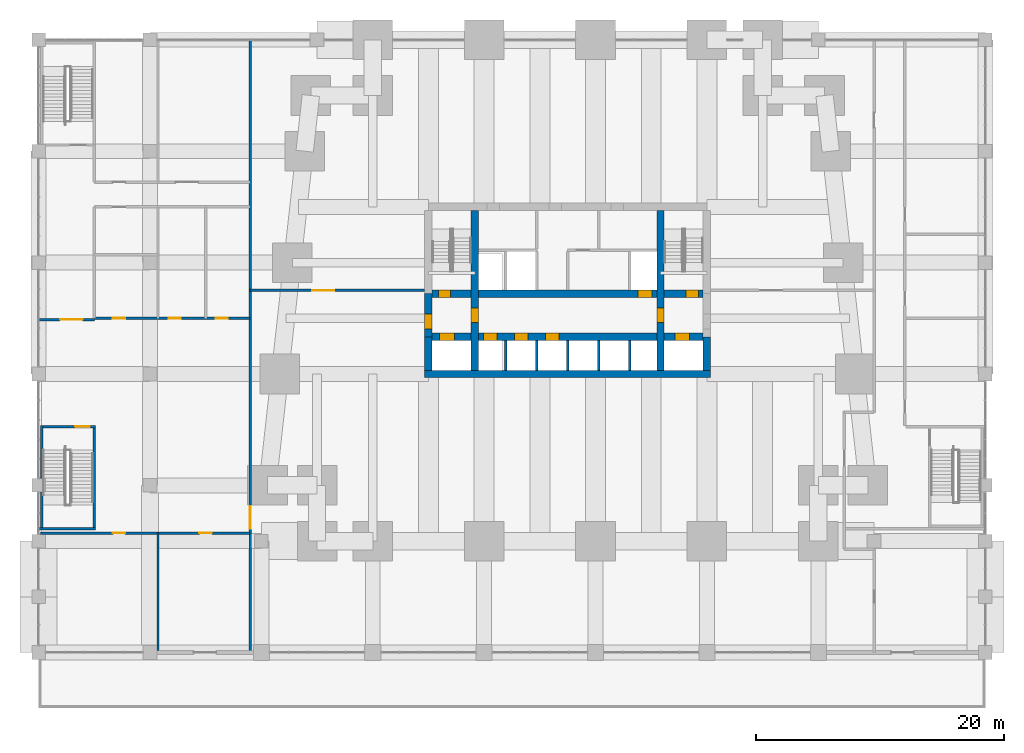
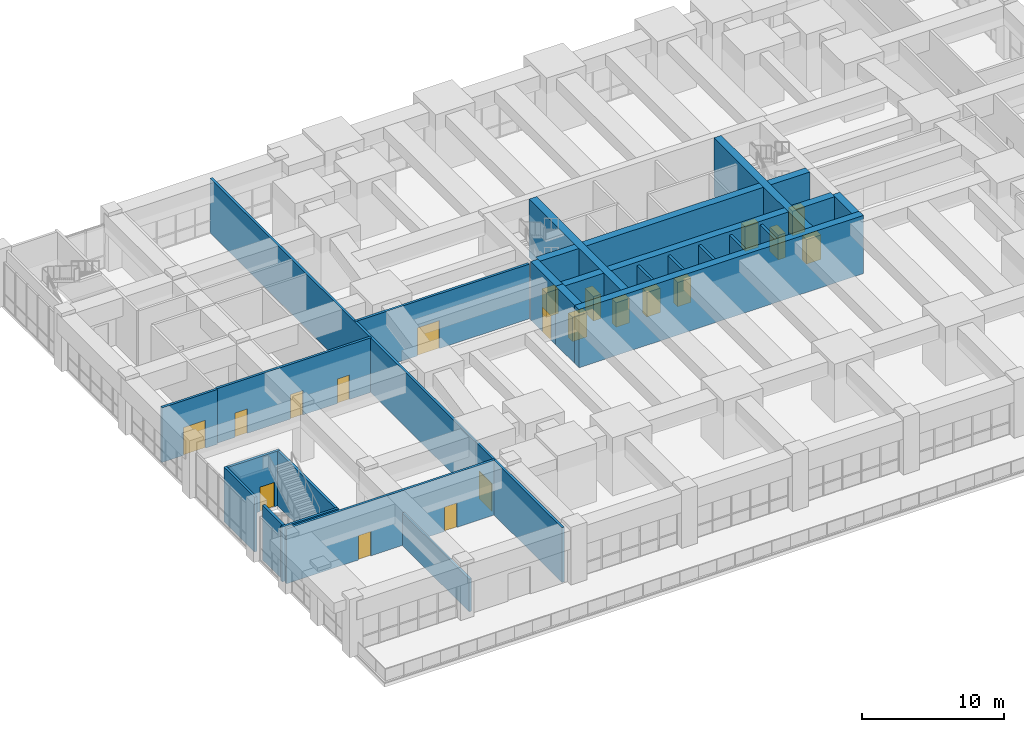
# One storey, part 21 of 27: 24 walls, 20 doors, 20 openings.
"""IFC4 building model written with IfcOpenShell, lengths in metres."""

import ifcopenshell
import ifcopenshell.guid

model = None  # the IFC model being written
_history = None  # IfcOwnerHistory: only IFC2X3 demands one
_inside = {}  # id of a spatial element -> (the spatial element, [elements in it])
_under = {}  # id of a project, library or spatial element -> (it, [spatial elements below it])
_declared = {}  # id of a project -> (the project, [libraries it declares])
_typed = {}  # id of a type object -> (the type object, [elements of that type])
_made_of = {}  # id of a material, layer set ... -> (it, [elements and type objects made of it])


def new_model(schema):
    """Start an empty IFC model of exactly this schema.

    Asked for "IFC4X3", IfcOpenShell would pick the latest addendum, in which some entities
    have other attributes; the version numbers below select the first issue.
    IFC2X3 requires an IfcOwnerHistory on every rooted entity: one is made here for all.
    """
    global model, _history
    if schema == "IFC4X3":
        model = ifcopenshell.file(schema_version=(4, 3, 0, 0))
    else:
        model = ifcopenshell.file(schema=schema)
    _inside.clear()
    _under.clear()
    _declared.clear()
    _typed.clear()
    _made_of.clear()
    _history = None
    if model.schema == "IFC2X3":
        org = make("IfcOrganization", Name="unknown")
        user = make(
            "IfcPersonAndOrganization",
            ThePerson=make("IfcPerson", FamilyName="unknown"),
            TheOrganization=org,
        )
        app = make(
            "IfcApplication",
            ApplicationDeveloper=org,
            Version="unknown",
            ApplicationFullName="unknown",
            ApplicationIdentifier="unknown",
        )
        _history = make(
            "IfcOwnerHistory",
            OwningUser=user,
            OwningApplication=app,
            ChangeAction="ADDED",
            CreationDate=0,
        )
    return model


def make(cls, **values):
    """One entity of the class cls with the attributes given. An attribute that is None is left unset."""
    return model.create_entity(
        cls, **{name: value for name, value in values.items() if value is not None}
    )


def rooted(cls, **values):
    """An entity with a GlobalId (a new one), such as an element, a storey or a relation."""
    return make(cls, GlobalId=ifcopenshell.guid.new(), OwnerHistory=_history, **values)


def si_unit(unit_type, name, prefix=None):
    """IfcSIUnit, for example si_unit("LENGTHUNIT", "METRE", prefix="MILLI")."""
    return make("IfcSIUnit", UnitType=unit_type, Prefix=prefix, Name=name)


def assignment(units):
    """IfcUnitAssignment: the units of a project."""
    return None if units is None else make("IfcUnitAssignment", Units=units)


def point(xyz):
    """IfcCartesianPoint."""
    return None if xyz is None else make("IfcCartesianPoint", Coordinates=xyz)


def direction(xyz):
    """IfcDirection."""
    return None if xyz is None else make("IfcDirection", DirectionRatios=xyz)


def frame(location, z_axis=None, x_axis=None):
    """IfcAxis2Placement3D, a coordinate frame: its origin and axes. An axis left out is left unset."""
    return make(
        "IfcAxis2Placement3D",
        Location=point(location),
        Axis=direction(z_axis),
        RefDirection=direction(x_axis),
    )


def frame_2d(location, x_axis=None):
    """IfcAxis2Placement2D, a coordinate frame in the plane: its origin and x axis."""
    return make(
        "IfcAxis2Placement2D", Location=point(location), RefDirection=direction(x_axis)
    )


def origin():
    """The frame at (0, 0, 0) with its axes left unset."""
    return frame((0.0, 0.0, 0.0))


def place(relative_to, where):
    """IfcLocalPlacement: puts the frame where relative to a parent placement (None: the world)."""
    return make(
        "IfcLocalPlacement", PlacementRelTo=relative_to, RelativePlacement=where
    )


def context(
    kind, dimensions, precision=None, world=None, true_north=None, identifier=None
):
    """IfcGeometricRepresentationContext, for example the 3D "Model" context."""
    return make(
        "IfcGeometricRepresentationContext",
        ContextIdentifier=identifier,
        ContextType=kind,
        CoordinateSpaceDimension=dimensions,
        Precision=precision,
        WorldCoordinateSystem=world,
        TrueNorth=true_north,
    )


def subcontext(parent, identifier, kind, view, scale=None):
    """IfcGeometricRepresentationSubContext, for example "Body" below "Model"."""
    return make(
        "IfcGeometricRepresentationSubContext",
        ContextIdentifier=identifier,
        ContextType=kind,
        ParentContext=parent,
        TargetScale=scale,
        TargetView=view,
    )


def project(units=None, contexts=None):
    """IfcProject with its units and contexts."""
    return rooted(
        "IfcProject",
        Name="project",
        RepresentationContexts=contexts,
        UnitsInContext=assignment(units),
    )


def spatial(cls, under=None, at=None, **own):
    """A site, building, storey or space (cls), placed at a placement, below another one or the project."""
    s = rooted(cls, ObjectPlacement=at, **own)
    if under is not None:
        _under.setdefault(under.id(), (under, []))[1].append(s)
    return s


def profile(cls, at=None, kind="AREA", **sizes):
    """A parametric profile (cls). Its sizes go by their IFC names, for example OverallWidth=200.0."""
    return make(cls, ProfileType=kind, Position=at, **sizes)


def rectangle(**sizes):
    """IfcRectangleProfileDef."""
    return profile("IfcRectangleProfileDef", **sizes)


def extrude(swept, where, along, depth):
    """IfcExtrudedAreaSolid: the profile swept, set in the frame where, extruded along a direction by depth."""
    return make(
        "IfcExtrudedAreaSolid",
        SweptArea=swept,
        Position=where,
        ExtrudedDirection=direction(along),
        Depth=depth,
    )


def shape(context_of_items, identifier, shape_type, items):
    """IfcShapeRepresentation: the items that make up one representation, for example the "Body"."""
    return make(
        "IfcShapeRepresentation",
        ContextOfItems=context_of_items,
        RepresentationIdentifier=identifier,
        RepresentationType=shape_type,
        Items=items,
    )


def material(Name=None, Category=None):
    """IfcMaterial."""
    return make("IfcMaterial", Name=Name, Category=Category)


def layer(
    of_material, thickness, ventilated=None, Name=None, Category=None, Priority=None
):
    """IfcMaterialLayer: one layer of a wall or slab, of a material (None: an air gap)."""
    return make(
        "IfcMaterialLayer",
        Material=of_material,
        LayerThickness=thickness,
        IsVentilated=ventilated,
        Name=Name,
        Category=Category,
        Priority=Priority,
    )


def layer_set(layers, Name=None):
    """IfcMaterialLayerSet."""
    return make("IfcMaterialLayerSet", MaterialLayers=layers, LayerSetName=Name)


def made_of(thing, what):
    """Note that an element or type object is made of a material, layer set ...; save() writes the relation."""
    if what is not None:
        _made_of.setdefault(what.id(), (what, []))[1].append(thing)
    return thing


def type_object(cls, material=None, **own):
    """A type object (cls), such as IfcWallType, which elements share."""
    return made_of(rooted(cls, **own), material)


def element(
    cls,
    number,
    at=None,
    inside=None,
    cuts=None,
    type_object=None,
    material=None,
    context=None,
    identifier="Body",
    shape_type=None,
    held_by="IfcProductDefinitionShape",
    body=None,
    shapes=None,
    **own,
):
    """One element of the class cls, such as IfcWall. Its Tag is "e" and its number.

    at: its placement. inside: the storey or other place that contains it. cuts: it is an
    opening in that element (IfcRelVoidsElement). A single representation is given by context,
    identifier, shape_type and body (its items); several are given by shapes. held_by: the class
    of the entity that holds the representations. save() writes the other relations.
    """
    e = rooted(cls, Tag="e%d" % number, ObjectPlacement=at, **own)
    if body is not None:
        shapes = [shape(context, identifier, shape_type, body)]
    if shapes is not None:
        e.Representation = make(held_by, Representations=shapes)
    if inside is not None:
        _inside.setdefault(inside.id(), (inside, []))[1].append(e)
    if cuts is not None:
        rooted(
            "IfcRelVoidsElement", RelatingBuildingElement=cuts, RelatedOpeningElement=e
        )
    if type_object is not None:
        _typed.setdefault(type_object.id(), (type_object, []))[1].append(e)
    return made_of(e, material)


def fill(opening, filler):
    """IfcRelFillsElement: the door or window that sits in an opening."""
    return rooted(
        "IfcRelFillsElement",
        RelatingOpeningElement=opening,
        RelatedBuildingElement=filler,
    )


def aggregate(whole, parts):
    """IfcRelAggregates: a whole, such as a stair, and the parts it consists of."""
    return rooted("IfcRelAggregates", RelatingObject=whole, RelatedObjects=parts)


def save(model, path):
    """Write the relations noted so far, then the file.

    IfcRelAggregates (storeys below a building ...), IfcRelContainedInSpatialStructure (elements
    in a storey), IfcRelDefinesByType, IfcRelAssociatesMaterial and IfcRelDeclares: one each for
    every whole, place, type object, material and project.
    """
    for whole, parts in _under.values():
        aggregate(whole, parts)
    for where, things in _inside.values():
        rooted(
            "IfcRelContainedInSpatialStructure",
            RelatedElements=things,
            RelatingStructure=where,
        )
    for kind, things in _typed.values():
        rooted("IfcRelDefinesByType", RelatedObjects=things, RelatingType=kind)
    for what, things in _made_of.values():
        rooted("IfcRelAssociatesMaterial", RelatedObjects=things, RelatingMaterial=what)
    for by, libraries in _declared.values():
        rooted("IfcRelDeclares", RelatingContext=by, RelatedDefinitions=libraries)
    model.write(path)


model = new_model("IFC4")

# Units and contexts
model_context = context("Model", 3, precision=1e-05, world=origin(), true_north=direction((0.0, 1.0)))
body_context = subcontext(model_context, "Body", "Model", "MODEL_VIEW")
ifc_project = project(units=[si_unit("LENGTHUNIT", "METRE"), si_unit("AREAUNIT", "SQUARE_METRE"), si_unit("VOLUMEUNIT", "CUBIC_METRE"), si_unit("PLANEANGLEUNIT", "RADIAN"), si_unit("MASSUNIT", "GRAM", prefix="KILO")], contexts=[model_context])

# Site, building, storey
site_placement = place(None, origin())
site = spatial("IfcSite", under=ifc_project, at=site_placement, CompositionType="ELEMENT")
building_placement = place(site_placement, origin())
building = spatial("IfcBuilding", under=site, at=building_placement, Name="Kilele Tower Hotel", CompositionType="ELEMENT")
storey_placement = place(building_placement, frame((0.0, 0.0, 6.0)))
storey = spatial("IfcBuildingStorey", under=building, at=storey_placement, Name="L01", CompositionType="ELEMENT", Elevation=6.0)

# Wall
ifc_material_1 = material(Name="Concrete C60/75", Category="concrete")
ifc_layer_1 = layer(ifc_material_1, 0.60009765625)
ifc_layer_set_1 = layer_set([ifc_layer_1], Name="Concrete C60/75")
wall_type_1 = type_object("IfcWallType", Name="Core wall 600 C60/75", PredefinedType="SHEAR", material=ifc_layer_set_1)
wall_1_placement = place(storey_placement, frame((13.199951171875, 13.5, 0.0), z_axis=(0.0, 0.0, 1.0), x_axis=(1.0, 0.0, 0.0)))
element("IfcWall", 1, at=wall_1_placement, inside=storey, type_object=wall_type_1, Name="Core wall S L01", PredefinedType="SHEAR", context=body_context, shape_type="SweptSolid", body=[
    extrude(rectangle(XDim=23.10009765625, YDim=0.60009765625, at=frame_2d((11.550048828125, 0.0))), origin(), (0.0, 0.0, 1.0), 5.0),
])

# Wall, opening, door
wall_2_placement = place(storey_placement, frame((17.25, 13.800048828125, 0.0), z_axis=(0.0, 0.0, 1.0), x_axis=(0.0, 1.0, 0.0)))
wall_2 = element("IfcWall", 2, at=wall_2_placement, inside=storey, type_object=wall_type_1, Name="Core wall IW L01", PredefinedType="SHEAR", context=body_context, shape_type="SweptSolid", body=[
    extrude(rectangle(XDim=12.89990234375, YDim=0.60009765625, at=frame_2d((6.449951171875, 0.0))), origin(), (0.0, 0.0, 1.0), 5.0),
])
opening_1_placement = place(wall_2_placement, frame((3.85009765625, 0.0, 0.0)))
opening_1 = element("IfcOpeningElement", 3, at=opening_1_placement, cuts=wall_2, Name="Opening D4", PredefinedType="OPENING", context=body_context, shape_type="SweptSolid", body=[
    extrude(rectangle(XDim=1.199951171875, YDim=2.10009765625, at=frame_2d((0.60009765625, 1.050048828125))), frame((0.0, 0.31005859375, 0.0), z_axis=(0.0, -1.0, 0.0), x_axis=(1.0, 0.0, 0.0)), (0.0, 0.0, 1.0), 0.6201171875),
])
ifc_material_2 = material(Name="Timber door leaf in hardwood frame", Category="wood")
door_type_1 = type_object("IfcDoorType", Name="Firefighting lobby door 1200", OperationType="SINGLE_SWING_LEFT", PredefinedType="DOOR", material=ifc_material_2)
door_1_placement = place(opening_1_placement, origin())
door_1 = element("IfcDoor", 4, at=door_1_placement, inside=storey, type_object=door_type_1, Name="Lobby door L01", OperationType="SINGLE_SWING_LEFT", OverallHeight=2.10009765625, OverallWidth=1.199951171875, PredefinedType="DOOR", context=body_context, shape_type="SweptSolid", body=[
    extrude(rectangle(XDim=1.199951171875, YDim=2.10009765625, at=frame_2d((0.60009765625, 1.050048828125))), frame((0.0, 0.2998046875, 0.0), z_axis=(0.0, -1.0, 0.0), x_axis=(1.0, 0.0, 0.0)), (0.0, 0.0, 1.0), 0.599609375),
])
fill(opening_1, door_1)

wall_3_placement = place(storey_placement, frame((32.25, 13.800048828125, 0.0), z_axis=(0.0, 0.0, 1.0), x_axis=(0.0, 1.0, 0.0)))
wall_3 = element("IfcWall", 5, at=wall_3_placement, inside=storey, type_object=wall_type_1, Name="Core wall IE L01", PredefinedType="SHEAR", context=body_context, shape_type="SweptSolid", body=[
    extrude(rectangle(XDim=12.89990234375, YDim=0.60009765625, at=frame_2d((6.449951171875, 0.0))), origin(), (0.0, 0.0, 1.0), 5.0),
])
opening_2_placement = place(wall_3_placement, frame((5.050048828125, 0.0, 0.0), z_axis=(0.0, 0.0, 1.0), x_axis=(-1.0, 0.0, 0.0)))
opening_2 = element("IfcOpeningElement", 6, at=opening_2_placement, cuts=wall_3, Name="Opening D4", PredefinedType="OPENING", context=body_context, shape_type="SweptSolid", body=[
    extrude(rectangle(XDim=1.199951171875, YDim=2.10009765625, at=frame_2d((0.60009765625, 1.050048828125))), frame((0.0, 0.31005859375, 0.0), z_axis=(0.0, -1.0, 0.0), x_axis=(1.0, 0.0, 0.0)), (0.0, 0.0, 1.0), 0.6201171875),
])
door_2_placement = place(opening_2_placement, origin())
door_2 = element("IfcDoor", 7, at=door_2_placement, inside=storey, type_object=door_type_1, Name="Lobby door L01", OperationType="SINGLE_SWING_RIGHT", OverallHeight=2.10009765625, OverallWidth=1.199951171875, PredefinedType="DOOR", context=body_context, shape_type="SweptSolid", body=[
    extrude(rectangle(XDim=1.199951171875, YDim=2.10009765625, at=frame_2d((0.60009765625, 1.050048828125))), frame((0.0, 0.2998046875, 0.0), z_axis=(0.0, -1.0, 0.0), x_axis=(1.0, 0.0, 0.0)), (0.0, 0.0, 1.0), 0.599609375),
])
fill(opening_2, door_2)

# Wall, openings, doors
wall_4_placement = place(storey_placement, frame((13.800048828125, 16.5, 0.0), z_axis=(0.0, 0.0, 1.0), x_axis=(1.0, 0.0, 0.0)))
wall_4 = element("IfcWall", 8, at=wall_4_placement, inside=storey, type_object=wall_type_1, Name="Core wall LS L01", PredefinedType="SHEAR", context=body_context, shape_type="SweptSolid", body=[
    extrude(rectangle(XDim=21.89990234375, YDim=0.60009765625, at=frame_2d((10.949951171875, 0.0))), origin(), (0.0, 0.0, 1.0), 5.0),
])
opening_3_placement = place(wall_4_placement, frame((4.14990234375, 0.0, 0.0)))
opening_3 = element("IfcOpeningElement", 9, at=opening_3_placement, cuts=wall_4, Name="Opening LD1", PredefinedType="OPENING", context=body_context, shape_type="SweptSolid", body=[
    extrude(rectangle(XDim=1.10009765625, YDim=2.10009765625, at=frame_2d((0.550048828125, 1.050048828125))), frame((0.0, 0.31005859375, 0.0), z_axis=(0.0, -1.0, 0.0), x_axis=(1.0, 0.0, 0.0)), (0.0, 0.0, 1.0), 0.6201171875),
])
opening_4_placement = place(wall_4_placement, frame((6.64990234375, 0.0, 0.0)))
opening_4 = element("IfcOpeningElement", 10, at=opening_4_placement, cuts=wall_4, Name="Opening LD1", PredefinedType="OPENING", context=body_context, shape_type="SweptSolid", body=[
    extrude(rectangle(XDim=1.10009765625, YDim=2.10009765625, at=frame_2d((0.550048828125, 1.050048828125))), frame((0.0, 0.31005859375, 0.0), z_axis=(0.0, -1.0, 0.0), x_axis=(1.0, 0.0, 0.0)), (0.0, 0.0, 1.0), 0.6201171875),
])
opening_5_placement = place(wall_4_placement, frame((9.14990234375, 0.0, 0.0)))
opening_5 = element("IfcOpeningElement", 11, at=opening_5_placement, cuts=wall_4, Name="Opening LD1", PredefinedType="OPENING", context=body_context, shape_type="SweptSolid", body=[
    extrude(rectangle(XDim=1.10009765625, YDim=2.10009765625, at=frame_2d((0.550048828125, 1.050048828125))), frame((0.0, 0.31005859375, 0.0), z_axis=(0.0, -1.0, 0.0), x_axis=(1.0, 0.0, 0.0)), (0.0, 0.0, 1.0), 0.6201171875),
])
opening_6_placement = place(wall_4_placement, frame((0.60009765625, 0.0, 0.0)))
opening_6 = element("IfcOpeningElement", 12, at=opening_6_placement, cuts=wall_4, Name="Opening LD2", PredefinedType="OPENING", context=body_context, shape_type="SweptSolid", body=[
    extrude(rectangle(XDim=1.199951171875, YDim=2.10009765625, at=frame_2d((0.60009765625, 1.050048828125))), frame((0.0, 0.31005859375, 0.0), z_axis=(0.0, -1.0, 0.0), x_axis=(1.0, 0.0, 0.0)), (0.0, 0.0, 1.0), 0.6201171875),
])
opening_7_placement = place(wall_4_placement, frame((19.60009765625, 0.0, 0.0)))
opening_7 = element("IfcOpeningElement", 13, at=opening_7_placement, cuts=wall_4, Name="Opening LD2", PredefinedType="OPENING", context=body_context, shape_type="SweptSolid", body=[
    extrude(rectangle(XDim=1.199951171875, YDim=2.10009765625, at=frame_2d((0.60009765625, 1.050048828125))), frame((0.0, 0.31005859375, 0.0), z_axis=(0.0, -1.0, 0.0), x_axis=(1.0, 0.0, 0.0)), (0.0, 0.0, 1.0), 0.6201171875),
])
ifc_material_3 = material(Name="Steel lift landing door", Category="steel")
door_type_2 = type_object("IfcDoorType", Name="Firefighting lift landing door 1200", OperationType="SLIDING_TO_LEFT", PredefinedType="DOOR", material=ifc_material_3)
door_3_placement = place(opening_6_placement, origin())
door_3 = element("IfcDoor", 14, at=door_3_placement, inside=storey, type_object=door_type_2, Name="Landing door FFW L01", OperationType="SLIDING_TO_LEFT", OverallHeight=2.10009765625, OverallWidth=1.199951171875, PredefinedType="DOOR", context=body_context, shape_type="SweptSolid", body=[
    extrude(rectangle(XDim=1.199951171875, YDim=2.10009765625, at=frame_2d((0.60009765625, 1.050048828125))), frame((0.0, 0.2998046875, 0.0), z_axis=(0.0, -1.0, 0.0), x_axis=(1.0, 0.0, 0.0)), (0.0, 0.0, 1.0), 0.599609375),
])
fill(opening_6, door_3)
door_4_placement = place(opening_7_placement, origin())
door_4 = element("IfcDoor", 15, at=door_4_placement, inside=storey, type_object=door_type_2, Name="Landing door FFE L01", OperationType="SLIDING_TO_LEFT", OverallHeight=2.10009765625, OverallWidth=1.199951171875, PredefinedType="DOOR", context=body_context, shape_type="SweptSolid", body=[
    extrude(rectangle(XDim=1.199951171875, YDim=2.10009765625, at=frame_2d((0.60009765625, 1.050048828125))), frame((0.0, 0.2998046875, 0.0), z_axis=(0.0, -1.0, 0.0), x_axis=(1.0, 0.0, 0.0)), (0.0, 0.0, 1.0), 0.599609375),
])
fill(opening_7, door_4)
ifc_material_4 = material(Name="Steel lift landing door", Category="steel")
door_type_3 = type_object("IfcDoorType", Name="Lift landing door 1100", OperationType="SLIDING_TO_LEFT", PredefinedType="DOOR", material=ifc_material_4)
door_5_placement = place(opening_3_placement, origin())
door_5 = element("IfcDoor", 16, at=door_5_placement, inside=storey, type_object=door_type_3, Name="Landing door L1 L01", OperationType="SLIDING_TO_LEFT", OverallHeight=2.10009765625, OverallWidth=1.10009765625, PredefinedType="DOOR", context=body_context, shape_type="SweptSolid", body=[
    extrude(rectangle(XDim=1.10009765625, YDim=2.10009765625, at=frame_2d((0.550048828125, 1.050048828125))), frame((0.0, 0.2998046875, 0.0), z_axis=(0.0, -1.0, 0.0), x_axis=(1.0, 0.0, 0.0)), (0.0, 0.0, 1.0), 0.599609375),
])
fill(opening_3, door_5)
door_6_placement = place(opening_4_placement, origin())
door_6 = element("IfcDoor", 17, at=door_6_placement, inside=storey, type_object=door_type_3, Name="Landing door L2 L01", OperationType="SLIDING_TO_LEFT", OverallHeight=2.10009765625, OverallWidth=1.10009765625, PredefinedType="DOOR", context=body_context, shape_type="SweptSolid", body=[
    extrude(rectangle(XDim=1.10009765625, YDim=2.10009765625, at=frame_2d((0.550048828125, 1.050048828125))), frame((0.0, 0.2998046875, 0.0), z_axis=(0.0, -1.0, 0.0), x_axis=(1.0, 0.0, 0.0)), (0.0, 0.0, 1.0), 0.599609375),
])
fill(opening_4, door_6)
door_7_placement = place(opening_5_placement, origin())
door_7 = element("IfcDoor", 18, at=door_7_placement, inside=storey, type_object=door_type_3, Name="Landing door L3 L01", OperationType="SLIDING_TO_LEFT", OverallHeight=2.10009765625, OverallWidth=1.10009765625, PredefinedType="DOOR", context=body_context, shape_type="SweptSolid", body=[
    extrude(rectangle(XDim=1.10009765625, YDim=2.10009765625, at=frame_2d((0.550048828125, 1.050048828125))), frame((0.0, 0.2998046875, 0.0), z_axis=(0.0, -1.0, 0.0), x_axis=(1.0, 0.0, 0.0)), (0.0, 0.0, 1.0), 0.599609375),
])
fill(opening_5, door_7)

wall_5_placement = place(storey_placement, frame((13.800048828125, 20.0, 0.0), z_axis=(0.0, 0.0, 1.0), x_axis=(1.0, 0.0, 0.0)))
wall_5 = element("IfcWall", 19, at=wall_5_placement, inside=storey, type_object=wall_type_1, Name="Core wall LN L01", PredefinedType="SHEAR", context=body_context, shape_type="SweptSolid", body=[
    extrude(rectangle(XDim=21.89990234375, YDim=0.60009765625, at=frame_2d((10.949951171875, 0.0))), origin(), (0.0, 0.0, 1.0), 5.0),
])
opening_8_placement = place(wall_5_placement, frame((0.5, 0.0, 0.0)))
opening_8 = element("IfcOpeningElement", 20, at=opening_8_placement, cuts=wall_5, Name="Opening D5", PredefinedType="OPENING", context=body_context, shape_type="SweptSolid", body=[
    extrude(rectangle(XDim=1.0, YDim=2.10009765625, at=frame_2d((0.5, 1.050048828125))), frame((0.0, 0.31005859375, 0.0), z_axis=(0.0, -1.0, 0.0), x_axis=(1.0, 0.0, 0.0)), (0.0, 0.0, 1.0), 0.6201171875),
])
opening_9_placement = place(wall_5_placement, frame((20.5, 0.0, 0.0)))
opening_9 = element("IfcOpeningElement", 21, at=opening_9_placement, cuts=wall_5, Name="Opening D5", PredefinedType="OPENING", context=body_context, shape_type="SweptSolid", body=[
    extrude(rectangle(XDim=1.0, YDim=2.10009765625, at=frame_2d((0.5, 1.050048828125))), frame((0.0, 0.31005859375, 0.0), z_axis=(0.0, -1.0, 0.0), x_axis=(1.0, 0.0, 0.0)), (0.0, 0.0, 1.0), 0.6201171875),
])
opening_10_placement = place(wall_5_placement, frame((16.64990234375, 0.0, 0.0)))
opening_10 = element("IfcOpeningElement", 22, at=opening_10_placement, cuts=wall_5, Name="Opening LD1", PredefinedType="OPENING", context=body_context, shape_type="SweptSolid", body=[
    extrude(rectangle(XDim=1.10009765625, YDim=2.10009765625, at=frame_2d((0.550048828125, 1.050048828125))), frame((0.0, 0.31005859375, 0.0), z_axis=(0.0, -1.0, 0.0), x_axis=(1.0, 0.0, 0.0)), (0.0, 0.0, 1.0), 0.6201171875),
])
door_8_placement = place(opening_10_placement, origin())
door_8 = element("IfcDoor", 23, at=door_8_placement, inside=storey, type_object=door_type_3, Name="Landing door G1 L01", OperationType="SLIDING_TO_LEFT", OverallHeight=2.10009765625, OverallWidth=1.10009765625, PredefinedType="DOOR", context=body_context, shape_type="SweptSolid", body=[
    extrude(rectangle(XDim=1.10009765625, YDim=2.10009765625, at=frame_2d((0.550048828125, 1.050048828125))), frame((0.0, 0.2998046875, 0.0), z_axis=(0.0, -1.0, 0.0), x_axis=(1.0, 0.0, 0.0)), (0.0, 0.0, 1.0), 0.599609375),
])
fill(opening_10, door_8)
ifc_material_5 = material(Name="Timber door leaf in hardwood frame", Category="wood")
door_type_4 = type_object("IfcDoorType", Name="Stair door 1000", OperationType="SINGLE_SWING_LEFT", PredefinedType="DOOR", material=ifc_material_5)
door_9_placement = place(opening_8_placement, origin())
door_9 = element("IfcDoor", 24, at=door_9_placement, inside=storey, type_object=door_type_4, Name="Stair 1 door L01", OperationType="SINGLE_SWING_LEFT", OverallHeight=2.10009765625, OverallWidth=1.0, PredefinedType="DOOR", context=body_context, shape_type="SweptSolid", body=[
    extrude(rectangle(XDim=1.0, YDim=2.10009765625, at=frame_2d((0.5, 1.050048828125))), frame((0.0, 0.2998046875, 0.0), z_axis=(0.0, -1.0, 0.0), x_axis=(1.0, 0.0, 0.0)), (0.0, 0.0, 1.0), 0.599609375),
])
fill(opening_8, door_9)
door_10_placement = place(opening_9_placement, origin())
door_10 = element("IfcDoor", 25, at=door_10_placement, inside=storey, type_object=door_type_4, Name="Stair 2 door L01", OperationType="SINGLE_SWING_RIGHT", OverallHeight=2.10009765625, OverallWidth=1.0, PredefinedType="DOOR", context=body_context, shape_type="SweptSolid", body=[
    extrude(rectangle(XDim=1.0, YDim=2.10009765625, at=frame_2d((0.5, 1.050048828125))), frame((0.0, 0.2998046875, 0.0), z_axis=(0.0, -1.0, 0.0), x_axis=(1.0, 0.0, 0.0)), (0.0, 0.0, 1.0), 0.599609375),
])
fill(opening_9, door_10)

# Wall, opening, door
wall_6_placement = place(storey_placement, frame((13.5, 20.0, 0.0), z_axis=(0.0, 0.0, 1.0), x_axis=(0.0, -1.0, 0.0)))
wall_6 = element("IfcWall", 26, at=wall_6_placement, inside=storey, type_object=wall_type_1, Name="Core wall W2 L01", PredefinedType="SHEAR", context=body_context, shape_type="SweptSolid", body=[
    extrude(rectangle(XDim=3.5, YDim=0.60009765625, at=frame_2d((1.75, 0.0))), origin(), (0.0, 0.0, 1.0), 5.0),
])
opening_11_placement = place(wall_6_placement, frame((1.64990234375, 0.0, 0.0)))
opening_11 = element("IfcOpeningElement", 27, at=opening_11_placement, cuts=wall_6, Name="Opening D4", PredefinedType="OPENING", context=body_context, shape_type="SweptSolid", body=[
    extrude(rectangle(XDim=1.199951171875, YDim=2.10009765625, at=frame_2d((0.60009765625, 1.050048828125))), frame((0.0, 0.31005859375, 0.0), z_axis=(0.0, -1.0, 0.0), x_axis=(1.0, 0.0, 0.0)), (0.0, 0.0, 1.0), 0.6201171875),
])
door_11_placement = place(opening_11_placement, origin())
door_11 = element("IfcDoor", 28, at=door_11_placement, inside=storey, type_object=door_type_1, Name="Lobby door L01", OperationType="SINGLE_SWING_RIGHT", OverallHeight=2.10009765625, OverallWidth=1.199951171875, PredefinedType="DOOR", context=body_context, shape_type="SweptSolid", body=[
    extrude(rectangle(XDim=1.199951171875, YDim=2.10009765625, at=frame_2d((0.60009765625, 1.050048828125))), frame((0.0, 0.2998046875, 0.0), z_axis=(0.0, -1.0, 0.0), x_axis=(1.0, 0.0, 0.0)), (0.0, 0.0, 1.0), 0.599609375),
])
fill(opening_11, door_11)

# Walls
for number, where, z_axis, x_axis, name in (
    (29, (13.5, 16.5, 0.0), (0.0, 0.0, 1.0), (0.0, -1.0, 0.0), "Core wall W3 L01"),
    (30, (36.0, 13.800048828125, 0.0), (0.0, 0.0, 1.0), (0.0, 1.0, 0.0), "Core wall E1 L01"),
):
    element("IfcWall", number, at=place(storey_placement, frame(where, z_axis=z_axis, x_axis=x_axis)), inside=storey, type_object=wall_type_1, Name=name, PredefinedType="SHEAR", context=body_context, shape_type="SweptSolid", body=[
        extrude(rectangle(XDim=2.699951171875, YDim=0.60009765625, at=frame_2d((1.35009765625, 0.0))), origin(), (0.0, 0.0, 1.0), 5.0),
    ])

# Wall, opening, door
ifc_material_6 = material(Name="Blockwork, plastered both sides", Category="masonry")
ifc_layer_2 = layer(ifc_material_6, 0.199951171875)
ifc_layer_set_2 = layer_set([ifc_layer_2], Name="Blockwork, plastered both sides")
wall_type_2 = type_object("IfcWallType", Name="Partition wall 200", PredefinedType="PARTITIONING", material=ifc_layer_set_2)
wall_7_placement = place(storey_placement, frame((-0.89990234375, -9.0, 0.0), z_axis=(0.0, 0.0, 1.0), x_axis=(0.0, 1.0, 0.0)))
wall_7 = element("IfcWall", 31, at=wall_7_placement, inside=storey, type_object=wall_type_2, Name="Partition wall 200 L01", PredefinedType="PARTITIONING", context=body_context, shape_type="SweptSolid", body=[
    extrude(rectangle(XDim=49.5, YDim=0.199951171875, at=frame_2d((24.75, 0.0))), origin(), (0.0, 0.0, 1.0), 4.699951171875),
])
opening_12_placement = place(wall_7_placement, frame((10.0, 0.0, 0.0)))
opening_12 = element("IfcOpeningElement", 32, at=opening_12_placement, cuts=wall_7, Name="Opening D9", PredefinedType="OPENING", context=body_context, shape_type="SweptSolid", body=[
    extrude(rectangle(XDim=1.800048828125, YDim=2.39990234375, at=frame_2d((0.89990234375, 1.199951171875))), frame((0.0, 0.10986328125, 0.0), z_axis=(0.0, -1.0, 0.0), x_axis=(1.0, 0.0, 0.0)), (0.0, 0.0, 1.0), 0.219970703125),
])
ifc_material_7 = material(Name="Timber door leaf in hardwood frame", Category="wood")
door_type_5 = type_object("IfcDoorType", Name="Double door 1800", OperationType="DOUBLE_DOOR_SINGLE_SWING", PredefinedType="DOOR", material=ifc_material_7)
door_12_placement = place(opening_12_placement, origin())
door_12 = element("IfcDoor", 33, at=door_12_placement, inside=storey, type_object=door_type_5, Name="Door administration open office", OperationType="DOUBLE_DOOR_SINGLE_SWING", OverallHeight=2.39990234375, OverallWidth=1.800048828125, PredefinedType="DOOR", context=body_context, shape_type="SweptSolid", body=[
    extrude(rectangle(XDim=1.800048828125, YDim=2.39990234375, at=frame_2d((0.89990234375, 1.199951171875))), frame((0.0, 0.02490234375, 0.0), z_axis=(0.0, -1.0, 0.0), x_axis=(1.0, 0.0, 0.0)), (0.0, 0.0, 1.0), 0.050048828125),
])
fill(opening_12, door_12)

# Wall, openings, doors
wall_8_placement = place(storey_placement, frame((-13.5, 18.0, 0.0), z_axis=(0.0, 0.0, 1.0), x_axis=(1.0, 0.0, 0.0)))
wall_8 = element("IfcWall", 34, at=wall_8_placement, inside=storey, type_object=wall_type_2, Name="Partition wall 200 L01", PredefinedType="PARTITIONING", context=body_context, shape_type="SweptSolid", body=[
    extrude(rectangle(XDim=12.60009765625, YDim=0.199951171875, at=frame_2d((6.300048828125, 0.0))), origin(), (0.0, 0.0, 1.0), 4.699951171875),
])
opening_13_placement = place(wall_8_placement, frame((7.0, 0.0, 0.0), z_axis=(0.0, 0.0, 1.0), x_axis=(-1.0, 0.0, 0.0)))
opening_13 = element("IfcOpeningElement", 35, at=opening_13_placement, cuts=wall_8, Name="Opening D8", PredefinedType="OPENING", context=body_context, shape_type="SweptSolid", body=[
    extrude(rectangle(XDim=1.0, YDim=2.10009765625, at=frame_2d((0.5, 1.050048828125))), frame((0.0, 0.10986328125, 0.0), z_axis=(0.0, -1.0, 0.0), x_axis=(1.0, 0.0, 0.0)), (0.0, 0.0, 1.0), 0.219970703125),
])
opening_14_placement = place(wall_8_placement, frame((10.800048828125, 0.0, 0.0), z_axis=(0.0, 0.0, 1.0), x_axis=(-1.0, 0.0, 0.0)))
opening_14 = element("IfcOpeningElement", 36, at=opening_14_placement, cuts=wall_8, Name="Opening D8", PredefinedType="OPENING", context=body_context, shape_type="SweptSolid", body=[
    extrude(rectangle(XDim=1.0, YDim=2.10009765625, at=frame_2d((0.5, 1.050048828125))), frame((0.0, 0.10986328125, 0.0), z_axis=(0.0, -1.0, 0.0), x_axis=(1.0, 0.0, 0.0)), (0.0, 0.0, 1.0), 0.219970703125),
])
opening_15_placement = place(wall_8_placement, frame((1.5, 0.0, 0.0)))
opening_15 = element("IfcOpeningElement", 37, at=opening_15_placement, cuts=wall_8, Name="Opening D8", PredefinedType="OPENING", context=body_context, shape_type="SweptSolid", body=[
    extrude(rectangle(XDim=1.0, YDim=2.10009765625, at=frame_2d((0.5, 1.050048828125))), frame((0.0, 0.10986328125, 0.0), z_axis=(0.0, -1.0, 0.0), x_axis=(1.0, 0.0, 0.0)), (0.0, 0.0, 1.0), 0.219970703125),
])
ifc_material_8 = material(Name="Timber door leaf in hardwood frame", Category="wood")
door_type_6 = type_object("IfcDoorType", Name="Door 1000", OperationType="SINGLE_SWING_LEFT", PredefinedType="DOOR", material=ifc_material_8)
door_13_placement = place(opening_13_placement, origin())
door_13 = element("IfcDoor", 38, at=door_13_placement, inside=storey, type_object=door_type_6, Name="WC men door", OperationType="SINGLE_SWING_LEFT", OverallHeight=2.10009765625, OverallWidth=1.0, PredefinedType="DOOR", context=body_context, shape_type="SweptSolid", body=[
    extrude(rectangle(XDim=1.0, YDim=2.10009765625, at=frame_2d((0.5, 1.050048828125))), frame((0.0, 0.02490234375, 0.0), z_axis=(0.0, -1.0, 0.0), x_axis=(1.0, 0.0, 0.0)), (0.0, 0.0, 1.0), 0.050048828125),
])
fill(opening_13, door_13)
door_14_placement = place(opening_14_placement, origin())
door_14 = element("IfcDoor", 39, at=door_14_placement, inside=storey, type_object=door_type_6, Name="WC women door", OperationType="SINGLE_SWING_LEFT", OverallHeight=2.10009765625, OverallWidth=1.0, PredefinedType="DOOR", context=body_context, shape_type="SweptSolid", body=[
    extrude(rectangle(XDim=1.0, YDim=2.10009765625, at=frame_2d((0.5, 1.050048828125))), frame((0.0, 0.02490234375, 0.0), z_axis=(0.0, -1.0, 0.0), x_axis=(1.0, 0.0, 0.0)), (0.0, 0.0, 1.0), 0.050048828125),
])
fill(opening_14, door_14)
door_15_placement = place(opening_15_placement, origin())
door_15 = element("IfcDoor", 40, at=door_15_placement, inside=storey, type_object=door_type_6, Name="Cleaner's store door", OperationType="SINGLE_SWING_LEFT", OverallHeight=2.10009765625, OverallWidth=1.0, PredefinedType="DOOR", context=body_context, shape_type="SweptSolid", body=[
    extrude(rectangle(XDim=1.0, YDim=2.10009765625, at=frame_2d((0.5, 1.050048828125))), frame((0.0, 0.02490234375, 0.0), z_axis=(0.0, -1.0, 0.0), x_axis=(1.0, 0.0, 0.0)), (0.0, 0.0, 1.0), 0.050048828125),
])
fill(opening_15, door_15)

wall_9_placement = place(storey_placement, frame((-17.85009765625, 0.64990234375, 0.0), z_axis=(0.0, 0.0, 1.0), x_axis=(1.0, 0.0, 0.0)))
wall_9 = element("IfcWall", 41, at=wall_9_placement, inside=storey, type_object=wall_type_2, Name="Partition wall 200 L01", PredefinedType="PARTITIONING", context=body_context, shape_type="SweptSolid", body=[
    extrude(rectangle(XDim=16.9501953125, YDim=0.199951171875, at=frame_2d((8.47509765625, 0.0))), origin(), (0.0, 0.0, 1.0), 4.699951171875),
])
opening_16_placement = place(wall_9_placement, frame((5.85009765625, 0.0, 0.0)))
opening_16 = element("IfcOpeningElement", 42, at=opening_16_placement, cuts=wall_9, Name="Opening D8", PredefinedType="OPENING", context=body_context, shape_type="SweptSolid", body=[
    extrude(rectangle(XDim=1.0, YDim=2.10009765625, at=frame_2d((0.5, 1.050048828125))), frame((0.0, 0.10986328125, 0.0), z_axis=(0.0, -1.0, 0.0), x_axis=(1.0, 0.0, 0.0)), (0.0, 0.0, 1.0), 0.219970703125),
])
opening_17_placement = place(wall_9_placement, frame((12.85009765625, 0.0, 0.0)))
opening_17 = element("IfcOpeningElement", 43, at=opening_17_placement, cuts=wall_9, Name="Opening D8", PredefinedType="OPENING", context=body_context, shape_type="SweptSolid", body=[
    extrude(rectangle(XDim=1.0, YDim=2.10009765625, at=frame_2d((0.5, 1.050048828125))), frame((0.0, 0.10986328125, 0.0), z_axis=(0.0, -1.0, 0.0), x_axis=(1.0, 0.0, 0.0)), (0.0, 0.0, 1.0), 0.219970703125),
])
door_16_placement = place(opening_16_placement, origin())
door_16 = element("IfcDoor", 44, at=door_16_placement, inside=storey, type_object=door_type_6, Name="Door finance office", OperationType="SINGLE_SWING_LEFT", OverallHeight=2.10009765625, OverallWidth=1.0, PredefinedType="DOOR", context=body_context, shape_type="SweptSolid", body=[
    extrude(rectangle(XDim=1.0, YDim=2.10009765625, at=frame_2d((0.5, 1.050048828125))), frame((0.0, 0.02490234375, 0.0), z_axis=(0.0, -1.0, 0.0), x_axis=(1.0, 0.0, 0.0)), (0.0, 0.0, 1.0), 0.050048828125),
])
fill(opening_16, door_16)
door_17_placement = place(opening_17_placement, origin())
door_17 = element("IfcDoor", 45, at=door_17_placement, inside=storey, type_object=door_type_6, Name="Door general manager's office", OperationType="SINGLE_SWING_RIGHT", OverallHeight=2.10009765625, OverallWidth=1.0, PredefinedType="DOOR", context=body_context, shape_type="SweptSolid", body=[
    extrude(rectangle(XDim=1.0, YDim=2.10009765625, at=frame_2d((0.5, 1.050048828125))), frame((0.0, 0.02490234375, 0.0), z_axis=(0.0, -1.0, 0.0), x_axis=(1.0, 0.0, 0.0)), (0.0, 0.0, 1.0), 0.050048828125),
])
fill(opening_17, door_17)

# Wall
wall_10_placement = place(storey_placement, frame((-8.35009765625, -8.85009765625, 0.0), z_axis=(0.0, 0.0, 1.0), x_axis=(0.0, 1.0, 0.0)))
element("IfcWall", 46, at=wall_10_placement, inside=storey, type_object=wall_type_2, Name="Partition wall 200 L01", PredefinedType="PARTITIONING", context=body_context, shape_type="SweptSolid", body=[
    extrude(rectangle(XDim=9.5, YDim=0.199951171875, at=frame_2d((4.75, 0.0))), origin(), (0.0, 0.0, 1.0), 2.800048828125),
])

# Wall, opening, door
wall_11_placement = place(storey_placement, frame((-18.0, 17.89990234375, 0.0), z_axis=(0.0, 0.0, 1.0), x_axis=(1.0, 0.0, 0.0)))
wall_11 = element("IfcWall", 47, at=wall_11_placement, inside=storey, type_object=wall_type_2, Name="Partition wall 200 L01", PredefinedType="PARTITIONING", context=body_context, shape_type="SweptSolid", body=[
    extrude(rectangle(XDim=4.5, YDim=0.199951171875, at=frame_2d((2.25, 0.0))), origin(), (0.0, 0.0, 1.0), 4.699951171875),
])
opening_18_placement = place(wall_11_placement, frame((3.550048828125, 0.0, 0.0), z_axis=(0.0, 0.0, 1.0), x_axis=(-1.0, 0.0, 0.0)))
opening_18 = element("IfcOpeningElement", 48, at=opening_18_placement, cuts=wall_11, Name="Opening D9", PredefinedType="OPENING", context=body_context, shape_type="SweptSolid", body=[
    extrude(rectangle(XDim=1.800048828125, YDim=2.39990234375, at=frame_2d((0.89990234375, 1.199951171875))), frame((0.0, 0.10986328125, 0.0), z_axis=(0.0, -1.0, 0.0), x_axis=(1.0, 0.0, 0.0)), (0.0, 0.0, 1.0), 0.219970703125),
])
door_18_placement = place(opening_18_placement, origin())
door_18 = element("IfcDoor", 49, at=door_18_placement, inside=storey, type_object=door_type_5, Name="Door administration open office", OperationType="DOUBLE_DOOR_SINGLE_SWING", OverallHeight=2.39990234375, OverallWidth=1.800048828125, PredefinedType="DOOR", context=body_context, shape_type="SweptSolid", body=[
    extrude(rectangle(XDim=1.800048828125, YDim=2.39990234375, at=frame_2d((0.89990234375, 1.199951171875))), frame((0.0, 0.02490234375, 0.0), z_axis=(0.0, -1.0, 0.0), x_axis=(1.0, 0.0, 0.0)), (0.0, 0.0, 1.0), 0.050048828125),
])
fill(opening_18, door_18)

wall_12_placement = place(storey_placement, frame((-0.89990234375, 20.25, 0.0), z_axis=(0.0, 0.0, 1.0), x_axis=(1.0, 0.0, 0.0)))
wall_12 = element("IfcWall", 50, at=wall_12_placement, inside=storey, type_object=wall_type_2, Name="Partition wall 200 L01", PredefinedType="PARTITIONING", context=body_context, shape_type="SweptSolid", body=[
    extrude(rectangle(XDim=14.099853515625, YDim=0.199951171875, at=frame_2d((7.0498046875, 0.0))), origin(), (0.0, 0.0, 1.0), 4.699951171875),
])
opening_19_placement = place(wall_12_placement, frame((5.0, 0.0, 0.0)))
opening_19 = element("IfcOpeningElement", 51, at=opening_19_placement, cuts=wall_12, Name="Opening D9", PredefinedType="OPENING", context=body_context, shape_type="SweptSolid", body=[
    extrude(rectangle(XDim=1.800048828125, YDim=2.39990234375, at=frame_2d((0.89990234375, 1.199951171875))), frame((0.0, 0.10986328125, 0.0), z_axis=(0.0, -1.0, 0.0), x_axis=(1.0, 0.0, 0.0)), (0.0, 0.0, 1.0), 0.219970703125),
])
door_19_placement = place(opening_19_placement, origin())
door_19 = element("IfcDoor", 52, at=door_19_placement, inside=storey, type_object=door_type_5, Name="Door Lobby bar", OperationType="DOUBLE_DOOR_SINGLE_SWING", OverallHeight=2.39990234375, OverallWidth=1.800048828125, PredefinedType="DOOR", context=body_context, shape_type="SweptSolid", body=[
    extrude(rectangle(XDim=1.800048828125, YDim=2.39990234375, at=frame_2d((0.89990234375, 1.199951171875))), frame((0.0, 0.02490234375, 0.0), z_axis=(0.0, -1.0, 0.0), x_axis=(1.0, 0.0, 0.0)), (0.0, 0.0, 1.0), 0.050048828125),
])
fill(opening_19, door_19)

# Walls
ifc_material_9 = material(Name="Blockwork, fire-rated", Category="masonry")
ifc_layer_3 = layer(ifc_material_9, 0.199951171875)
ifc_layer_set_3 = layer_set([ifc_layer_3], Name="Blockwork, fire-rated")
wall_type_3 = type_object("IfcWallType", Name="Shaft wall 200", PredefinedType="PARTITIONING", material=ifc_layer_set_3)
for number, where, z_axis, x_axis, name in (
    (53, (19.75, 13.800048828125, 0.0), (0.0, 0.0, 1.0), (0.0, 1.0, 0.0), "Shaft wall 200 L01"),
    (54, (22.25, 13.800048828125, 0.0), (0.0, 0.0, 1.0), (0.0, 1.0, 0.0), "Shaft wall 200 L01"),
    (55, (24.75, 13.800048828125, 0.0), (0.0, 0.0, 1.0), (0.0, 1.0, 0.0), "Shaft wall 200 L01"),
    (56, (27.25, 13.800048828125, 0.0), (0.0, 0.0, 1.0), (0.0, 1.0, 0.0), "Shaft wall 200 L01"),
    (57, (29.75, 13.800048828125, 0.0), (0.0, 0.0, 1.0), (0.0, 1.0, 0.0), "Shaft wall 200 L01"),
):
    element("IfcWall", number, at=place(storey_placement, frame(where, z_axis=z_axis, x_axis=x_axis)), inside=storey, type_object=wall_type_3, Name=name, PredefinedType="PARTITIONING", context=body_context, shape_type="SweptSolid", body=[
        extrude(rectangle(XDim=2.39990234375, YDim=0.199951171875, at=frame_2d((1.199951171875, 0.0))), origin(), (0.0, 0.0, 1.0), 4.699951171875),
    ])

# Wall, opening, door
ifc_material_10 = material(Name="Concrete C40/50", Category="concrete")
ifc_layer_4 = layer(ifc_material_10, 0.199951171875)
ifc_layer_set_4 = layer_set([ifc_layer_4], Name="Concrete C40/50")
wall_type_4 = type_object("IfcWallType", Name="Stair wall RC 200 C40/50", PredefinedType="SOLIDWALL", material=ifc_layer_set_4)
wall_13_placement = place(storey_placement, frame((-17.64990234375, 9.25, 0.0), z_axis=(0.0, 0.0, 1.0), x_axis=(1.0, 0.0, 0.0)))
wall_13 = element("IfcWall", 58, at=wall_13_placement, inside=storey, type_object=wall_type_4, Name="Stair wall RC 200 C40/50 L01", PredefinedType="SOLIDWALL", context=body_context, shape_type="SweptSolid", body=[
    extrude(rectangle(XDim=4.25, YDim=0.199951171875, at=frame_2d((2.125, 0.0))), origin(), (0.0, 0.0, 1.0), 4.699951171875),
])
opening_20_placement = place(wall_13_placement, frame((3.800048828125, 0.0, 0.0), z_axis=(0.0, 0.0, 1.0), x_axis=(-1.0, 0.0, 0.0)))
opening_20 = element("IfcOpeningElement", 59, at=opening_20_placement, cuts=wall_13, Name="Opening D5A", PredefinedType="OPENING", context=body_context, shape_type="SweptSolid", body=[
    extrude(rectangle(XDim=1.199951171875, YDim=2.10009765625, at=frame_2d((0.60009765625, 1.050048828125))), frame((0.0, 0.10986328125, 0.0), z_axis=(0.0, -1.0, 0.0), x_axis=(1.0, 0.0, 0.0)), (0.0, 0.0, 1.0), 0.219970703125),
])
ifc_material_11 = material(Name="Timber door leaf in hardwood frame", Category="wood")
door_type_7 = type_object("IfcDoorType", Name="Stair door 1200", OperationType="SINGLE_SWING_LEFT", PredefinedType="DOOR", material=ifc_material_11)
door_20_placement = place(opening_20_placement, origin())
door_20 = element("IfcDoor", 60, at=door_20_placement, inside=storey, type_object=door_type_7, Name="Stair 4 door", OperationType="SINGLE_SWING_LEFT", OverallHeight=2.10009765625, OverallWidth=1.199951171875, PredefinedType="DOOR", context=body_context, shape_type="SweptSolid", body=[
    extrude(rectangle(XDim=1.199951171875, YDim=2.10009765625, at=frame_2d((0.60009765625, 1.050048828125))), frame((0.0, 0.02490234375, 0.0), z_axis=(0.0, -1.0, 0.0), x_axis=(1.0, 0.0, 0.0)), (0.0, 0.0, 1.0), 0.050048828125),
])
fill(opening_20, door_20)

# Walls
wall_14_placement = place(storey_placement, frame((-18.0, 1.0, 0.0), z_axis=(0.0, 0.0, 1.0), x_axis=(1.0, 0.0, 0.0)))
element("IfcWall", 61, at=wall_14_placement, inside=storey, type_object=wall_type_4, Name="Stair wall RC 200 C40/50 L01", PredefinedType="SOLIDWALL", context=body_context, shape_type="SweptSolid", body=[
    extrude(rectangle(XDim=4.60009765625, YDim=0.199951171875, at=frame_2d((2.300048828125, 0.0))), origin(), (0.0, 0.0, 1.0), 4.699951171875),
])
wall_15_placement = place(storey_placement, frame((-13.5, 1.10009765625, 0.0), z_axis=(0.0, 0.0, 1.0), x_axis=(0.0, 1.0, 0.0)))
element("IfcWall", 62, at=wall_15_placement, inside=storey, type_object=wall_type_4, Name="Stair wall RC 200 C40/50 L01", PredefinedType="SOLIDWALL", context=body_context, shape_type="SweptSolid", body=[
    extrude(rectangle(XDim=8.0498046875, YDim=0.199951171875, at=frame_2d((4.02490234375, 0.0))), origin(), (0.0, 0.0, 1.0), 4.699951171875),
])
wall_16_placement = place(storey_placement, frame((-17.75, 1.10009765625, 0.0), z_axis=(0.0, 0.0, 1.0), x_axis=(0.0, 1.0, 0.0)))
element("IfcWall", 63, at=wall_16_placement, inside=storey, type_object=wall_type_4, Name="Stair wall RC 200 C40/50 L01", PredefinedType="SOLIDWALL", context=body_context, shape_type="SweptSolid", body=[
    extrude(rectangle(XDim=2.849853515625, YDim=0.199951171875, at=frame_2d((1.4248046875, 0.0))), origin(), (0.0, 0.0, 1.0), 4.699951171875),
])
wall_17_placement = place(storey_placement, frame((-17.75, 5.050048828125, 0.0), z_axis=(0.0, 0.0, 1.0), x_axis=(0.0, 1.0, 0.0)))
element("IfcWall", 64, at=wall_17_placement, inside=storey, type_object=wall_type_4, Name="Stair wall RC 200 C40/50 L01", PredefinedType="SOLIDWALL", context=body_context, shape_type="SweptSolid", body=[
    extrude(rectangle(XDim=4.300048828125, YDim=0.199951171875, at=frame_2d((2.14990234375, 0.0))), origin(), (0.0, 0.0, 1.0), 4.699951171875),
])

save(model, "model.ifc")
